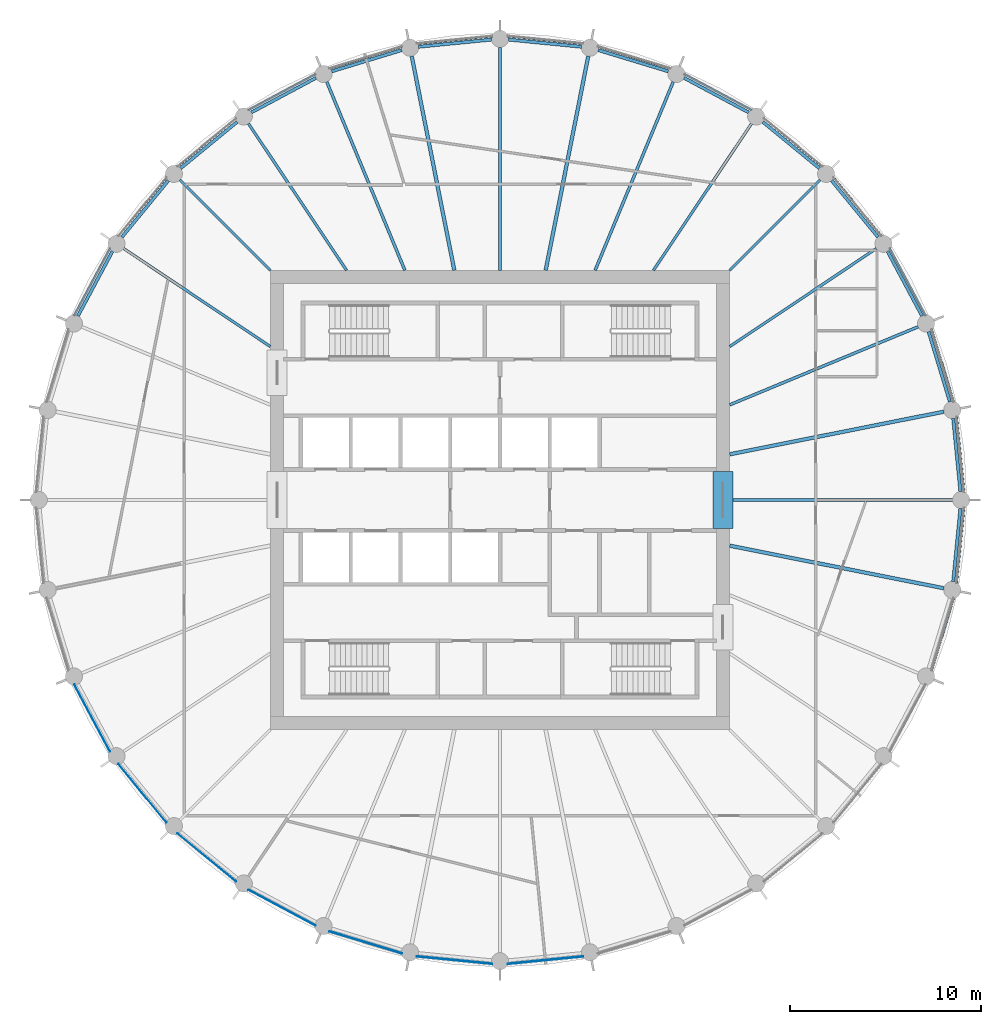
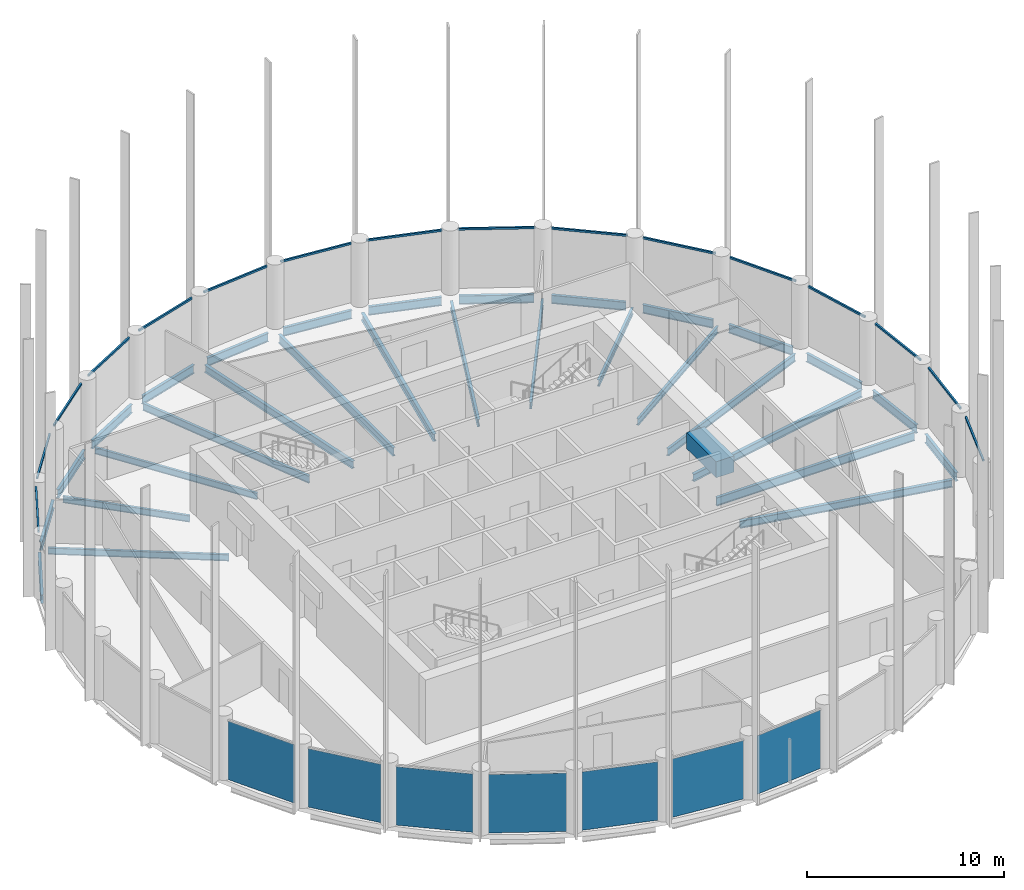
# One storey, part 2 of 7: 31 beams, 16 members, 7 plates, 23 elements without a shape of their own.
"""IFC4 building model written with IfcOpenShell, lengths in metres."""

from ifc_helpers import new_model, si_unit, direction, frame, origin, origin_2d, place, context, subcontext, project, spatial, rectangle, i_section, extrude, material, layer, layer_set, material_profile, profile_set, type_object, element, aggregate, save


model = new_model("IFC4")

# Units and contexts
model_context = context("Model", 3, precision=1e-05, world=origin(), true_north=direction((0.0, 1.0)))
body_context = subcontext(model_context, "Body", "Model", "MODEL_VIEW")
ifc_project = project(units=[si_unit("LENGTHUNIT", "METRE"), si_unit("AREAUNIT", "SQUARE_METRE"), si_unit("VOLUMEUNIT", "CUBIC_METRE"), si_unit("PLANEANGLEUNIT", "RADIAN"), si_unit("MASSUNIT", "GRAM", prefix="KILO")], contexts=[model_context])

# Site, building, storey
site_placement = place(None, origin())
site = spatial("IfcSite", under=ifc_project, at=site_placement, CompositionType="ELEMENT")
building_placement = place(site_placement, origin())
building = spatial("IfcBuilding", under=site, at=building_placement, Name="Corvane Civic Tower", CompositionType="ELEMENT")
storey_placement = place(building_placement, frame((0.0, 0.0, 295.0)))
storey = spatial("IfcBuildingStorey", under=building, at=storey_placement, Name="L70", CompositionType="ELEMENT", Elevation=295.0)

# Beams
ifc_material_1 = material(Name="Concrete C40/50", Category="concrete")
ifc_material_profile_1 = material_profile(ifc_material_1, rectangle(XDim=1.050048828125, YDim=1.0, at=origin_2d()), Name="COUPLING BEAM 1050X1000")
ifc_profile_set_1 = profile_set([ifc_material_profile_1], Name="Concrete C40/50")
beam_type_1 = type_object("IfcBeamType", Name="COUPLING BEAM COUPLING BEAM 1050X1000", PredefinedType="BEAM", material=ifc_profile_set_1)
beam_1_placement = place(storey_placement, frame((11.64990234375, -1.5, 2.60009765625), z_axis=(0.0, 1.0, 0.0), x_axis=(-1.0, 0.0, 0.0)))
element("IfcBeam", 1, at=beam_1_placement, inside=storey, type_object=beam_type_1, Name="BM-L70-cpl-CW-LE", PredefinedType="BEAM", context=body_context, shape_type="SweptSolid", body=[
    extrude(rectangle(XDim=1.050048828125, YDim=1.0, at=origin_2d()), origin(), (0.0, 0.0, 1.0), 3.0),
])
ifc_material_2 = material(Name="Steel ASTM A992 Gr 50", Category="steel")
ifc_material_profile_2 = material_profile(ifc_material_2, i_section(OverallWidth=0.165771484375, OverallDepth=0.5283203125, WebThickness=0.009765625, FlangeThickness=0.013671875, at=origin_2d()), Name="W21X50")
ifc_profile_set_2 = profile_set([ifc_material_profile_2], Name="Steel ASTM A992 Gr 50")
beam_type_2 = type_object("IfcBeamType", Name="EDGE BEAM W21X50", PredefinedType="BEAM", material=ifc_profile_set_2)
for number, where, z_axis, x_axis, name in (
    (2, (0.44775390625, 24.055908203125, -0.564208984375), (0.995187721162, -0.097986732007, 0.0), (0.097986732007, 0.995187721162, 0.0), "BM-L70-E01"),
    (3, (5.13232421875, 23.50634765625, -0.564208984375), (0.95692555902, -0.290333385085, 0.0), (0.290333385085, 0.95692555902, 0.0), "BM-L70-E02"),
):
    element("IfcBeam", number, at=place(storey_placement, frame(where, z_axis=z_axis, x_axis=x_axis)), inside=storey, type_object=beam_type_2, Name=name, PredefinedType="BEAM", context=body_context, shape_type="SweptSolid", body=[
        extrude(i_section(OverallWidth=0.165771484375, OverallDepth=0.5283203125, WebThickness=0.009765625, FlangeThickness=0.013671875, at=origin_2d()), origin(), (0.0, 0.0, 1.0), 3.824462890625),
    ])
beam_2_placement = place(storey_placement, frame((9.61962890625, 22.05322265625, -0.564208984375), z_axis=(0.881914279413, -0.471409804487, 0.0), x_axis=(0.471409804487, 0.881914279413, 0.0)))
element("IfcBeam", 4, at=beam_2_placement, inside=storey, type_object=beam_type_2, Name="BM-L70-E03", PredefinedType="BEAM", context=body_context, shape_type="SweptSolid", body=[
    extrude(i_section(OverallWidth=0.165771484375, OverallDepth=0.5283203125, WebThickness=0.009765625, FlangeThickness=0.013671875, at=origin_2d()), origin(), (0.0, 0.0, 1.0), 3.82421875),
])
for number, where, z_axis, x_axis, name in (
    (5, (13.737060546875, 19.7529296875, -0.564208984375), (0.772997914867, -0.634408562057, 0.0), (0.634408562057, 0.772997914867, 0.0), "BM-L70-E04"),
    (6, (17.32666015625, 16.693359375, -0.564208984375), (0.634408562057, -0.772997914867, 0.0), (0.772997914867, 0.634408562057, 0.0), "BM-L70-E05"),
):
    element("IfcBeam", number, at=place(storey_placement, frame(where, z_axis=z_axis, x_axis=x_axis)), inside=storey, type_object=beam_type_2, Name=name, PredefinedType="BEAM", context=body_context, shape_type="SweptSolid", body=[
        extrude(i_section(OverallWidth=0.165771484375, OverallDepth=0.5283203125, WebThickness=0.009765625, FlangeThickness=0.013671875, at=origin_2d()), origin(), (0.0, 0.0, 1.0), 3.824462890625),
    ])
beam_3_placement = place(storey_placement, frame((20.25048828125, 12.9921875, -0.564208984375), z_axis=(0.471409804487, -0.881914279413, 0.0), x_axis=(0.881914279413, 0.471409804487, 0.0)))
element("IfcBeam", 7, at=beam_3_placement, inside=storey, type_object=beam_type_2, Name="BM-L70-E06", PredefinedType="BEAM", context=body_context, shape_type="SweptSolid", body=[
    extrude(i_section(OverallWidth=0.165771484375, OverallDepth=0.5283203125, WebThickness=0.009765625, FlangeThickness=0.013671875, at=origin_2d()), origin(), (0.0, 0.0, 1.0), 3.82421875),
])
for number, where, z_axis, x_axis, name in (
    (8, (22.39599609375, 8.7919921875, -0.564208984375), (0.290333385085, -0.95692555902, 0.0), (0.95692555902, 0.290333385085, 0.0), "BM-L70-E07"),
    (9, (23.68115234375, 4.25390625, -0.564208984375), (0.097986732007, -0.995187721162, 0.0), (0.995187721162, 0.097986732007, 0.0), "BM-L70-E08"),
    (10, (24.055908203125, -0.44775390625, -0.564208984375), (-0.097986732007, -0.995187721162, 0.0), (0.995187721162, -0.097986732007, 0.0), "BM-L70-E09"),
):
    element("IfcBeam", number, at=place(storey_placement, frame(where, z_axis=z_axis, x_axis=x_axis)), inside=storey, type_object=beam_type_2, Name=name, PredefinedType="BEAM", context=body_context, shape_type="SweptSolid", body=[
        extrude(i_section(OverallWidth=0.165771484375, OverallDepth=0.5283203125, WebThickness=0.009765625, FlangeThickness=0.013671875, at=origin_2d()), origin(), (0.0, 0.0, 1.0), 3.824462890625),
    ])
beam_4_placement = place(storey_placement, frame((-22.05322265625, 9.61962890625, -0.564208984375), z_axis=(0.471409804487, 0.881914279413, 0.0), x_axis=(-0.881914279413, 0.471409804487, 0.0)))
element("IfcBeam", 11, at=beam_4_placement, inside=storey, type_object=beam_type_2, Name="BM-L70-E27", PredefinedType="BEAM", context=body_context, shape_type="SweptSolid", body=[
    extrude(i_section(OverallWidth=0.165771484375, OverallDepth=0.5283203125, WebThickness=0.009765625, FlangeThickness=0.013671875, at=origin_2d()), origin(), (0.0, 0.0, 1.0), 3.82421875),
])
for number, where, z_axis, x_axis, name in (
    (12, (-19.7529296875, 13.737060546875, -0.564208984375), (0.634408562057, 0.772997914867, 0.0), (-0.772997914867, 0.634408562057, 0.0), "BM-L70-E28"),
    (13, (-16.693359375, 17.32666015625, -0.564208984375), (0.772997914867, 0.634408562057, 0.0), (-0.634408562057, 0.772997914867, 0.0), "BM-L70-E29"),
):
    element("IfcBeam", number, at=place(storey_placement, frame(where, z_axis=z_axis, x_axis=x_axis)), inside=storey, type_object=beam_type_2, Name=name, PredefinedType="BEAM", context=body_context, shape_type="SweptSolid", body=[
        extrude(i_section(OverallWidth=0.165771484375, OverallDepth=0.5283203125, WebThickness=0.009765625, FlangeThickness=0.013671875, at=origin_2d()), origin(), (0.0, 0.0, 1.0), 3.824462890625),
    ])
beam_5_placement = place(storey_placement, frame((-12.9921875, 20.25048828125, -0.564208984375), z_axis=(0.881914279413, 0.471409804487, 0.0), x_axis=(-0.471409804487, 0.881914279413, 0.0)))
element("IfcBeam", 14, at=beam_5_placement, inside=storey, type_object=beam_type_2, Name="BM-L70-E30", PredefinedType="BEAM", context=body_context, shape_type="SweptSolid", body=[
    extrude(i_section(OverallWidth=0.165771484375, OverallDepth=0.5283203125, WebThickness=0.009765625, FlangeThickness=0.013671875, at=origin_2d()), origin(), (0.0, 0.0, 1.0), 3.82421875),
])
for number, where, z_axis, x_axis, name in (
    (15, (-8.7919921875, 22.39599609375, -0.564208984375), (0.95692555902, 0.290333385085, 0.0), (-0.290333385085, 0.95692555902, 0.0), "BM-L70-E31"),
    (16, (-4.25390625, 23.68115234375, -0.564208984375), (0.995187721162, 0.097986732007, 0.0), (-0.097986732007, 0.995187721162, 0.0), "BM-L70-E32"),
):
    element("IfcBeam", number, at=place(storey_placement, frame(where, z_axis=z_axis, x_axis=x_axis)), inside=storey, type_object=beam_type_2, Name=name, PredefinedType="BEAM", context=body_context, shape_type="SweptSolid", body=[
        extrude(i_section(OverallWidth=0.165771484375, OverallDepth=0.5283203125, WebThickness=0.009765625, FlangeThickness=0.013671875, at=origin_2d()), origin(), (0.0, 0.0, 1.0), 3.824462890625),
    ])
ifc_material_3 = material(Name="Steel ASTM A992 Gr 50", Category="steel")
ifc_material_profile_3 = material_profile(ifc_material_3, i_section(OverallWidth=0.140380859375, OverallDepth=0.40380859375, WebThickness=0.007080078125, FlangeThickness=0.01123046875, at=origin_2d()), Name="W16X31")
ifc_profile_set_3 = profile_set([ifc_material_profile_3], Name="Steel ASTM A992 Gr 50")
beam_type_3 = type_object("IfcBeamType", Name="FLOOR GIRDER W16X31", PredefinedType="BEAM", material=ifc_profile_set_3)
beam_6_placement = place(storey_placement, frame((8.01806640625, 12.0, -0.501953125), z_axis=(0.555567816355, 0.831471227061, 0.0), x_axis=(-0.831471227061, 0.555567816355, 0.0)))
element("IfcBeam", 17, at=beam_6_placement, inside=storey, type_object=beam_type_3, Name="BM-L70-G04", PredefinedType="BEAM", context=body_context, shape_type="SweptSolid", body=[
    extrude(i_section(OverallWidth=0.140380859375, OverallDepth=0.40380859375, WebThickness=0.007080078125, FlangeThickness=0.01123046875, at=origin_2d()), origin(), (0.0, 0.0, 1.0), 9.2177734375),
])
beam_7_placement = place(storey_placement, frame((12.0, 12.0, -0.501953125), z_axis=(0.707106781187, 0.707106781187, 0.0), x_axis=(-0.707106781187, 0.707106781187, 0.0)))
element("IfcBeam", 18, at=beam_7_placement, inside=storey, type_object=beam_type_3, Name="BM-L70-G05", PredefinedType="BEAM", context=body_context, shape_type="SweptSolid", body=[
    extrude(i_section(OverallWidth=0.140380859375, OverallDepth=0.40380859375, WebThickness=0.007080078125, FlangeThickness=0.01123046875, at=origin_2d()), origin(), (0.0, 0.0, 1.0), 6.679443359375),
])
for number, where, z_axis, x_axis, name in (
    (19, (12.0, 8.01806640625, -0.501953125), (0.831471227061, 0.555567816355, 0.0), (-0.555567816355, 0.831471227061, 0.0), "BM-L70-G06"),
    (20, (-12.0, 8.01806640625, -0.501953125), (-0.831471227061, 0.555567816355, 0.0), (-0.555567816355, -0.831471227061, 0.0), "BM-L70-G28"),
):
    element("IfcBeam", number, at=place(storey_placement, frame(where, z_axis=z_axis, x_axis=x_axis)), inside=storey, type_object=beam_type_3, Name=name, PredefinedType="BEAM", context=body_context, shape_type="SweptSolid", body=[
        extrude(i_section(OverallWidth=0.140380859375, OverallDepth=0.40380859375, WebThickness=0.007080078125, FlangeThickness=0.01123046875, at=origin_2d()), origin(), (0.0, 0.0, 1.0), 9.2177734375),
    ])
beam_8_placement = place(storey_placement, frame((-12.0, 12.0, -0.501953125), z_axis=(-0.707106781187, 0.707106781187, 0.0), x_axis=(-0.707106781187, -0.707106781187, 0.0)))
element("IfcBeam", 21, at=beam_8_placement, inside=storey, type_object=beam_type_3, Name="BM-L70-G29", PredefinedType="BEAM", context=body_context, shape_type="SweptSolid", body=[
    extrude(i_section(OverallWidth=0.140380859375, OverallDepth=0.40380859375, WebThickness=0.007080078125, FlangeThickness=0.01123046875, at=origin_2d()), origin(), (0.0, 0.0, 1.0), 6.679443359375),
])
beam_9_placement = place(storey_placement, frame((-8.01806640625, 12.0, -0.501953125), z_axis=(-0.555567816355, 0.831471227061, 0.0), x_axis=(-0.831471227061, -0.555567816355, 0.0)))
element("IfcBeam", 22, at=beam_9_placement, inside=storey, type_object=beam_type_3, Name="BM-L70-G30", PredefinedType="BEAM", context=body_context, shape_type="SweptSolid", body=[
    extrude(i_section(OverallWidth=0.140380859375, OverallDepth=0.40380859375, WebThickness=0.007080078125, FlangeThickness=0.01123046875, at=origin_2d()), origin(), (0.0, 0.0, 1.0), 9.2177734375),
])
ifc_material_4 = material(Name="Steel ASTM A992 Gr 50", Category="steel")
ifc_material_profile_4 = material_profile(ifc_material_4, i_section(OverallWidth=0.15283203125, OverallDepth=0.45458984375, WebThickness=0.008056640625, FlangeThickness=0.013427734375, at=origin_2d()), Name="W18X40")
ifc_profile_set_4 = profile_set([ifc_material_profile_4], Name="Steel ASTM A992 Gr 50")
beam_type_4 = type_object("IfcBeamType", Name="FLOOR GIRDER W18X40", PredefinedType="BEAM", material=ifc_profile_set_4)
for number, where, z_axis, x_axis, name in (
    (23, (4.970458984375, 12.0, -0.52734375), (0.382694257331, 0.923875048589, 0.0), (-0.923875048589, 0.382694257331, 0.0), "BM-L70-G03"),
    (24, (12.0, 4.970458984375, -0.52734375), (0.923875048589, 0.382694257331, 0.0), (-0.382694257331, 0.923875048589, 0.0), "BM-L70-G07"),
    (25, (-4.970458984375, 12.0, -0.52734375), (-0.382694257331, 0.923875048589, 0.0), (-0.923875048589, -0.382694257331, 0.0), "BM-L70-G31"),
):
    element("IfcBeam", number, at=place(storey_placement, frame(where, z_axis=z_axis, x_axis=x_axis)), inside=storey, type_object=beam_type_4, Name=name, PredefinedType="BEAM", context=body_context, shape_type="SweptSolid", body=[
        extrude(i_section(OverallWidth=0.15283203125, OverallDepth=0.45458984375, WebThickness=0.008056640625, FlangeThickness=0.013427734375, at=origin_2d()), origin(), (0.0, 0.0, 1.0), 10.661376953125),
    ])
ifc_material_5 = material(Name="Steel ASTM A992 Gr 50", Category="steel")
ifc_material_profile_5 = material_profile(ifc_material_5, i_section(OverallWidth=0.1904296875, OverallDepth=0.457275390625, WebThickness=0.009033203125, FlangeThickness=0.014404296875, at=origin_2d()), Name="W18X50")
ifc_profile_set_5 = profile_set([ifc_material_profile_5], Name="Steel ASTM A992 Gr 50")
beam_type_5 = type_object("IfcBeamType", Name="FLOOR GIRDER W18X50", PredefinedType="BEAM", material=ifc_profile_set_5)
for number, where, z_axis, x_axis, name in (
    (26, (2.386962890625, 12.0, -0.528564453125), (0.195079532402, 0.980787426529, 0.0), (-0.980787426529, 0.195079532402, 0.0), "BM-L70-G02"),
    (27, (12.0, 2.386962890625, -0.528564453125), (0.980787426529, 0.195079532402, 0.0), (-0.195079532402, 0.980787426529, 0.0), "BM-L70-G08"),
    (28, (12.0, -2.386962890625, -0.528564453125), (0.980787426529, -0.195079532402, 0.0), (0.195079532402, 0.980787426529, 0.0), "BM-L70-G10"),
    (29, (-2.386962890625, 12.0, -0.528564453125), (-0.195079532402, 0.980787426529, 0.0), (-0.980787426529, -0.195079532402, 0.0), "BM-L70-G32"),
):
    element("IfcBeam", number, at=place(storey_placement, frame(where, z_axis=z_axis, x_axis=x_axis)), inside=storey, type_object=beam_type_5, Name=name, PredefinedType="BEAM", context=body_context, shape_type="SweptSolid", body=[
        extrude(i_section(OverallWidth=0.1904296875, OverallDepth=0.457275390625, WebThickness=0.009033203125, FlangeThickness=0.014404296875, at=origin_2d()), origin(), (0.0, 0.0, 1.0), 11.414794921875),
    ])
ifc_material_6 = material(Name="Steel ASTM A992 Gr 50", Category="steel")
ifc_material_profile_6 = material_profile(ifc_material_6, i_section(OverallWidth=0.165771484375, OverallDepth=0.5283203125, WebThickness=0.009765625, FlangeThickness=0.013671875, at=origin_2d()), Name="W21X50")
ifc_profile_set_6 = profile_set([ifc_material_profile_6], Name="Steel ASTM A992 Gr 50")
beam_type_6 = type_object("IfcBeamType", Name="FLOOR GIRDER W21X50", PredefinedType="BEAM", material=ifc_profile_set_6)
for number, where, z_axis, x_axis, name in (
    (30, (0.0, 12.0, -0.564208984375), (0.0, 1.0, 0.0), (-1.0, 0.0, 0.0), "BM-L70-G01"),
    (31, (12.0, 0.0, -0.564208984375), (1.0, 0.0, 0.0), (0.0, 1.0, 0.0), "BM-L70-G09"),
):
    element("IfcBeam", number, at=place(storey_placement, frame(where, z_axis=z_axis, x_axis=x_axis)), inside=storey, type_object=beam_type_6, Name=name, PredefinedType="BEAM", context=body_context, shape_type="SweptSolid", body=[
        extrude(i_section(OverallWidth=0.165771484375, OverallDepth=0.5283203125, WebThickness=0.009765625, FlangeThickness=0.013671875, at=origin_2d()), origin(), (0.0, 0.0, 1.0), 11.64990234375),
    ])

# Curtain wall, member
ifc_material_7 = material(Name="Anodised aluminium bronze", Category="aluminium")
curtain_wall_type = type_object("IfcCurtainWallType", Name="TOWER CW-T3 STICK CURTAIN WALL", PredefinedType="NOTDEFINED", material=ifc_material_7)
curtain_wall_1_placement = place(storey_placement, origin())
curtain_wall_1 = element("IfcCurtainWall", 32, at=curtain_wall_1_placement, inside=storey, type_object=curtain_wall_type, Name="Curtain wall CW-T3 L70 bay 01", PredefinedType="NOTDEFINED")
ifc_material_8 = material(Name="Anodised aluminium bronze", Category="aluminium")
ifc_material_profile_7 = material_profile(ifc_material_8, rectangle(XDim=0.10009765625, YDim=0.1201171875, at=origin_2d()), Name="TOWER CW-T3 TRANSOM 100x120")
ifc_profile_set_7 = profile_set([ifc_material_profile_7], Name="Anodised aluminium bronze")
member_type = type_object("IfcMemberType", Name="TOWER CW-T3 TRANSOM 100x120", PredefinedType="USERDEFINED", material=ifc_profile_set_7)
member_1_placement = place(storey_placement, frame((0.3984375, 24.24072265625, 3.68994140625), z_axis=(0.995186866683, -0.097995409999, 0.0), x_axis=(0.097995409999, 0.995186866683, 0.0)))
member_1 = element("IfcMember", 33, at=member_1_placement, type_object=member_type, Name="Transom CW-T3 L70 01.1", ObjectType="TRANSOM", PredefinedType="USERDEFINED", context=body_context, shape_type="SweptSolid", body=[
    extrude(rectangle(XDim=0.10009765625, YDim=0.1201171875, at=origin_2d()), origin(), (0.0, 0.0, 1.0), 3.958740234375),
])
aggregate(curtain_wall_1, [member_1])

curtain_wall_2_placement = place(storey_placement, origin())
curtain_wall_2 = element("IfcCurtainWall", 34, at=curtain_wall_2_placement, inside=storey, type_object=curtain_wall_type, Name="Curtain wall CW-T3 L70 bay 02", PredefinedType="NOTDEFINED")
member_2_placement = place(storey_placement, frame((5.119873046875, 23.697265625, 3.68994140625), z_axis=(0.956946054205, -0.290265825309, 0.0), x_axis=(0.290265825309, 0.956946054205, 0.0)))
member_2 = element("IfcMember", 35, at=member_2_placement, type_object=member_type, Name="Transom CW-T3 L70 02.1", ObjectType="TRANSOM", PredefinedType="USERDEFINED", context=body_context, shape_type="SweptSolid", body=[
    extrude(rectangle(XDim=0.10009765625, YDim=0.1201171875, at=origin_2d()), origin(), (0.0, 0.0, 1.0), 3.958984375),
])
aggregate(curtain_wall_2, [member_2])

curtain_wall_3_placement = place(storey_placement, origin())
curtain_wall_3 = element("IfcCurtainWall", 36, at=curtain_wall_3_placement, inside=storey, type_object=curtain_wall_type, Name="Curtain wall CW-T3 L70 bay 03", PredefinedType="NOTDEFINED")
member_3_placement = place(storey_placement, frame((9.644775390625, 22.2431640625, 3.68994140625), z_axis=(0.881883040816, -0.471468241052, 0.0), x_axis=(0.471468241052, 0.881883040816, 0.0)))
member_3 = element("IfcMember", 37, at=member_3_placement, type_object=member_type, Name="Transom CW-T3 L70 03.1", ObjectType="TRANSOM", PredefinedType="USERDEFINED", context=body_context, shape_type="SweptSolid", body=[
    extrude(rectangle(XDim=0.10009765625, YDim=0.1201171875, at=origin_2d()), origin(), (0.0, 0.0, 1.0), 3.958740234375),
])
aggregate(curtain_wall_3, [member_3])

curtain_wall_4_placement = place(storey_placement, origin())
curtain_wall_4 = element("IfcCurtainWall", 38, at=curtain_wall_4_placement, inside=storey, type_object=curtain_wall_type, Name="Curtain wall CW-T3 L70 bay 04", PredefinedType="NOTDEFINED")
member_4_placement = place(storey_placement, frame((13.798828125, 19.93408203125, 3.68994140625), z_axis=(0.772991943051, -0.634415838373, 0.0), x_axis=(0.634415838373, 0.772991943051, 0.0)))
member_4 = element("IfcMember", 39, at=member_4_placement, type_object=member_type, Name="Transom CW-T3 L70 04.1", ObjectType="TRANSOM", PredefinedType="USERDEFINED", context=body_context, shape_type="SweptSolid", body=[
    extrude(rectangle(XDim=0.10009765625, YDim=0.1201171875, at=origin_2d()), origin(), (0.0, 0.0, 1.0), 3.958740234375),
])
aggregate(curtain_wall_4, [member_4])

curtain_wall_5_placement = place(storey_placement, origin())
curtain_wall_5 = element("IfcCurtainWall", 40, at=curtain_wall_5_placement, inside=storey, type_object=curtain_wall_type, Name="Curtain wall CW-T3 L70 bay 05", PredefinedType="NOTDEFINED")
member_5_placement = place(storey_placement, frame((17.422607421875, 16.85888671875, 3.68994140625), z_axis=(0.634415838373, -0.772991943051, 0.0), x_axis=(0.772991943051, 0.634415838373, 0.0)))
member_5 = element("IfcMember", 41, at=member_5_placement, type_object=member_type, Name="Transom CW-T3 L70 05.1", ObjectType="TRANSOM", PredefinedType="USERDEFINED", context=body_context, shape_type="SweptSolid", body=[
    extrude(rectangle(XDim=0.10009765625, YDim=0.1201171875, at=origin_2d()), origin(), (0.0, 0.0, 1.0), 3.958740234375),
])
aggregate(curtain_wall_5, [member_5])

curtain_wall_6_placement = place(storey_placement, origin())
curtain_wall_6 = element("IfcCurtainWall", 42, at=curtain_wall_6_placement, inside=storey, type_object=curtain_wall_type, Name="Curtain wall CW-T3 L70 bay 06", PredefinedType="NOTDEFINED")
member_6_placement = place(storey_placement, frame((20.376708984375, 13.135986328125, 3.68994140625), z_axis=(0.471468241052, -0.881883040816, 0.0), x_axis=(0.881883040816, 0.471468241052, 0.0)))
member_6 = element("IfcMember", 43, at=member_6_placement, type_object=member_type, Name="Transom CW-T3 L70 06.1", ObjectType="TRANSOM", PredefinedType="USERDEFINED", context=body_context, shape_type="SweptSolid", body=[
    extrude(rectangle(XDim=0.10009765625, YDim=0.1201171875, at=origin_2d()), origin(), (0.0, 0.0, 1.0), 3.958740234375),
])
aggregate(curtain_wall_6, [member_6])

curtain_wall_7_placement = place(storey_placement, origin())
curtain_wall_7 = element("IfcCurtainWall", 44, at=curtain_wall_7_placement, inside=storey, type_object=curtain_wall_type, Name="Curtain wall CW-T3 L70 bay 07", PredefinedType="NOTDEFINED")
member_7_placement = place(storey_placement, frame((22.548095703125, 8.908447265625, 3.68994140625), z_axis=(0.290265825309, -0.956946054205, 0.0), x_axis=(0.956946054205, 0.290265825309, 0.0)))
member_7 = element("IfcMember", 45, at=member_7_placement, type_object=member_type, Name="Transom CW-T3 L70 07.1", ObjectType="TRANSOM", PredefinedType="USERDEFINED", context=body_context, shape_type="SweptSolid", body=[
    extrude(rectangle(XDim=0.10009765625, YDim=0.1201171875, at=origin_2d()), origin(), (0.0, 0.0, 1.0), 3.958984375),
])
aggregate(curtain_wall_7, [member_7])

curtain_wall_8_placement = place(storey_placement, origin())
curtain_wall_8 = element("IfcCurtainWall", 46, at=curtain_wall_8_placement, inside=storey, type_object=curtain_wall_type, Name="Curtain wall CW-T3 L70 bay 08", PredefinedType="NOTDEFINED")
member_8_placement = place(storey_placement, frame((23.852783203125, 4.338134765625, 3.68994140625), z_axis=(0.097995409999, -0.995186866683, 0.0), x_axis=(0.995186866683, 0.097995409999, 0.0)))
member_8 = element("IfcMember", 47, at=member_8_placement, type_object=member_type, Name="Transom CW-T3 L70 08.1", ObjectType="TRANSOM", PredefinedType="USERDEFINED", context=body_context, shape_type="SweptSolid", body=[
    extrude(rectangle(XDim=0.10009765625, YDim=0.1201171875, at=origin_2d()), origin(), (0.0, 0.0, 1.0), 3.958740234375),
])
aggregate(curtain_wall_8, [member_8])

curtain_wall_9_placement = place(storey_placement, origin())
curtain_wall_9 = element("IfcCurtainWall", 48, at=curtain_wall_9_placement, inside=storey, type_object=curtain_wall_type, Name="Curtain wall CW-T3 L70 bay 09", PredefinedType="NOTDEFINED")
member_9_placement = place(storey_placement, frame((24.24072265625, -0.3984375, 3.68994140625), z_axis=(-0.097995409999, -0.995186866683, 0.0), x_axis=(0.995186866683, -0.097995409999, 0.0)))
member_9 = element("IfcMember", 49, at=member_9_placement, type_object=member_type, Name="Transom CW-T3 L70 09.1", ObjectType="TRANSOM", PredefinedType="USERDEFINED", context=body_context, shape_type="SweptSolid", body=[
    extrude(rectangle(XDim=0.10009765625, YDim=0.1201171875, at=origin_2d()), origin(), (0.0, 0.0, 1.0), 3.958740234375),
])
aggregate(curtain_wall_9, [member_9])

curtain_wall_10_placement = place(storey_placement, origin())
curtain_wall_10 = element("IfcCurtainWall", 50, at=curtain_wall_10_placement, inside=storey, type_object=curtain_wall_type, Name="Curtain wall CW-T3 L70 bay 10", PredefinedType="NOTDEFINED")
member_10_placement = place(storey_placement, frame((23.697265625, -5.119873046875, 3.68994140625), z_axis=(-0.290265825309, -0.956946054205, 0.0), x_axis=(0.956946054205, -0.290265825309, 0.0)))
member_10 = element("IfcMember", 51, at=member_10_placement, type_object=member_type, Name="Transom CW-T3 L70 10.1", ObjectType="TRANSOM", PredefinedType="USERDEFINED", context=body_context, shape_type="SweptSolid", body=[
    extrude(rectangle(XDim=0.10009765625, YDim=0.1201171875, at=origin_2d()), origin(), (0.0, 0.0, 1.0), 3.958984375),
])
aggregate(curtain_wall_10, [member_10])

curtain_wall_11_placement = place(storey_placement, origin())
curtain_wall_11 = element("IfcCurtainWall", 52, at=curtain_wall_11_placement, inside=storey, type_object=curtain_wall_type, Name="Curtain wall CW-T3 L70 bay 27", PredefinedType="NOTDEFINED")
member_11_placement = place(storey_placement, frame((-22.2431640625, 9.644775390625, 3.68994140625), z_axis=(0.471468241052, 0.881883040816, 0.0), x_axis=(-0.881883040816, 0.471468241052, 0.0)))
member_11 = element("IfcMember", 53, at=member_11_placement, type_object=member_type, Name="Transom CW-T3 L70 27.1", ObjectType="TRANSOM", PredefinedType="USERDEFINED", context=body_context, shape_type="SweptSolid", body=[
    extrude(rectangle(XDim=0.10009765625, YDim=0.1201171875, at=origin_2d()), origin(), (0.0, 0.0, 1.0), 3.958740234375),
])
aggregate(curtain_wall_11, [member_11])

curtain_wall_12_placement = place(storey_placement, origin())
curtain_wall_12 = element("IfcCurtainWall", 54, at=curtain_wall_12_placement, inside=storey, type_object=curtain_wall_type, Name="Curtain wall CW-T3 L70 bay 28", PredefinedType="NOTDEFINED")
member_12_placement = place(storey_placement, frame((-19.93408203125, 13.798828125, 3.68994140625), z_axis=(0.634415838373, 0.772991943051, 0.0), x_axis=(-0.772991943051, 0.634415838373, 0.0)))
member_12 = element("IfcMember", 55, at=member_12_placement, type_object=member_type, Name="Transom CW-T3 L70 28.1", ObjectType="TRANSOM", PredefinedType="USERDEFINED", context=body_context, shape_type="SweptSolid", body=[
    extrude(rectangle(XDim=0.10009765625, YDim=0.1201171875, at=origin_2d()), origin(), (0.0, 0.0, 1.0), 3.958740234375),
])
aggregate(curtain_wall_12, [member_12])

curtain_wall_13_placement = place(storey_placement, origin())
curtain_wall_13 = element("IfcCurtainWall", 56, at=curtain_wall_13_placement, inside=storey, type_object=curtain_wall_type, Name="Curtain wall CW-T3 L70 bay 29", PredefinedType="NOTDEFINED")
member_13_placement = place(storey_placement, frame((-16.85888671875, 17.422607421875, 3.68994140625), z_axis=(0.772991943051, 0.634415838373, 0.0), x_axis=(-0.634415838373, 0.772991943051, 0.0)))
member_13 = element("IfcMember", 57, at=member_13_placement, type_object=member_type, Name="Transom CW-T3 L70 29.1", ObjectType="TRANSOM", PredefinedType="USERDEFINED", context=body_context, shape_type="SweptSolid", body=[
    extrude(rectangle(XDim=0.10009765625, YDim=0.1201171875, at=origin_2d()), origin(), (0.0, 0.0, 1.0), 3.958740234375),
])
aggregate(curtain_wall_13, [member_13])

curtain_wall_14_placement = place(storey_placement, origin())
curtain_wall_14 = element("IfcCurtainWall", 58, at=curtain_wall_14_placement, inside=storey, type_object=curtain_wall_type, Name="Curtain wall CW-T3 L70 bay 30", PredefinedType="NOTDEFINED")
member_14_placement = place(storey_placement, frame((-13.135986328125, 20.376708984375, 3.68994140625), z_axis=(0.881883040816, 0.471468241052, 0.0), x_axis=(-0.471468241052, 0.881883040816, 0.0)))
member_14 = element("IfcMember", 59, at=member_14_placement, type_object=member_type, Name="Transom CW-T3 L70 30.1", ObjectType="TRANSOM", PredefinedType="USERDEFINED", context=body_context, shape_type="SweptSolid", body=[
    extrude(rectangle(XDim=0.10009765625, YDim=0.1201171875, at=origin_2d()), origin(), (0.0, 0.0, 1.0), 3.958740234375),
])
aggregate(curtain_wall_14, [member_14])

curtain_wall_15_placement = place(storey_placement, origin())
curtain_wall_15 = element("IfcCurtainWall", 60, at=curtain_wall_15_placement, inside=storey, type_object=curtain_wall_type, Name="Curtain wall CW-T3 L70 bay 31", PredefinedType="NOTDEFINED")
member_15_placement = place(storey_placement, frame((-8.908447265625, 22.548095703125, 3.68994140625), z_axis=(0.956946054205, 0.290265825309, 0.0), x_axis=(-0.290265825309, 0.956946054205, 0.0)))
member_15 = element("IfcMember", 61, at=member_15_placement, type_object=member_type, Name="Transom CW-T3 L70 31.1", ObjectType="TRANSOM", PredefinedType="USERDEFINED", context=body_context, shape_type="SweptSolid", body=[
    extrude(rectangle(XDim=0.10009765625, YDim=0.1201171875, at=origin_2d()), origin(), (0.0, 0.0, 1.0), 3.958984375),
])
aggregate(curtain_wall_15, [member_15])

curtain_wall_16_placement = place(storey_placement, origin())
curtain_wall_16 = element("IfcCurtainWall", 62, at=curtain_wall_16_placement, inside=storey, type_object=curtain_wall_type, Name="Curtain wall CW-T3 L70 bay 32", PredefinedType="NOTDEFINED")
member_16_placement = place(storey_placement, frame((-4.338134765625, 23.852783203125, 3.68994140625), z_axis=(0.995186866683, 0.097995409999, 0.0), x_axis=(-0.097995409999, 0.995186866683, 0.0)))
member_16 = element("IfcMember", 63, at=member_16_placement, type_object=member_type, Name="Transom CW-T3 L70 32.1", ObjectType="TRANSOM", PredefinedType="USERDEFINED", context=body_context, shape_type="SweptSolid", body=[
    extrude(rectangle(XDim=0.10009765625, YDim=0.1201171875, at=origin_2d()), origin(), (0.0, 0.0, 1.0), 3.958740234375),
])
aggregate(curtain_wall_16, [member_16])

# Curtain wall, plate
curtain_wall_17_placement = place(storey_placement, origin())
curtain_wall_17 = element("IfcCurtainWall", 64, at=curtain_wall_17_placement, inside=storey, type_object=curtain_wall_type, Name="Curtain wall CW-T3 L70 bay 16", PredefinedType="NOTDEFINED")
ifc_material_9 = material(Name="Tinted glass", Category="glass")
ifc_layer = layer(ifc_material_9, 0.028076171875)
ifc_layer_set = layer_set([ifc_layer], Name="Tinted glass")
plate_type = type_object("IfcPlateType", Name="TOWER CW-T3 PANEL IGU28", PredefinedType="CURTAIN_PANEL", material=ifc_layer_set)
plate_1_placement = place(storey_placement, frame((2.368408203125, -24.046875, 0.0), z_axis=(0.0, 0.0, 1.0), x_axis=(-0.99518437747, -0.098020685775, 0.0)))
plate_1 = element("IfcPlate", 65, at=plate_1_placement, type_object=plate_type, Name="Glass panel CW-T3 L70 16.1", PredefinedType="CURTAIN_PANEL", context=body_context, shape_type="SweptSolid", body=[
    extrude(rectangle(XDim=3.958740234375, YDim=0.028076171875, at=origin_2d()), origin(), (0.0, 0.0, 1.0), 3.6298828125),
])
aggregate(curtain_wall_17, [plate_1])

curtain_wall_18_placement = place(storey_placement, origin())
curtain_wall_18 = element("IfcCurtainWall", 66, at=curtain_wall_18_placement, inside=storey, type_object=curtain_wall_type, Name="Curtain wall CW-T3 L70 bay 17", PredefinedType="NOTDEFINED")
plate_2_placement = place(storey_placement, frame((-2.368408203125, -24.046875, 0.0), z_axis=(0.0, 0.0, 1.0), x_axis=(-0.99518437747, 0.098020685775, 0.0)))
plate_2 = element("IfcPlate", 67, at=plate_2_placement, type_object=plate_type, Name="Glass panel CW-T3 L70 17.1", PredefinedType="CURTAIN_PANEL", context=body_context, shape_type="SweptSolid", body=[
    extrude(rectangle(XDim=3.958740234375, YDim=0.028076171875, at=origin_2d()), origin(), (0.0, 0.0, 1.0), 3.6298828125),
])
aggregate(curtain_wall_18, [plate_2])

curtain_wall_19_placement = place(storey_placement, origin())
curtain_wall_19 = element("IfcCurtainWall", 68, at=curtain_wall_19_placement, inside=storey, type_object=curtain_wall_type, Name="Curtain wall CW-T3 L70 bay 18", PredefinedType="NOTDEFINED")
plate_3_placement = place(storey_placement, frame((-7.01416015625, -23.12255859375, 0.0), z_axis=(0.0, 0.0, 1.0), x_axis=(-0.956943694519, 0.290273604586, 0.0)))
plate_3 = element("IfcPlate", 69, at=plate_3_placement, type_object=plate_type, Name="Glass panel CW-T3 L70 18.1", PredefinedType="CURTAIN_PANEL", context=body_context, shape_type="SweptSolid", body=[
    extrude(rectangle(XDim=3.958984375, YDim=0.028076171875, at=origin_2d()), origin(), (0.0, 0.0, 1.0), 3.6298828125),
])
aggregate(curtain_wall_19, [plate_3])

curtain_wall_20_placement = place(storey_placement, origin())
curtain_wall_20 = element("IfcCurtainWall", 70, at=curtain_wall_20_placement, inside=storey, type_object=curtain_wall_type, Name="Curtain wall CW-T3 L70 bay 19", PredefinedType="NOTDEFINED")
plate_4_placement = place(storey_placement, frame((-11.390380859375, -21.31005859375, 0.0), z_axis=(0.0, 0.0, 1.0), x_axis=(-0.881908138655, 0.471421292448, 0.0)))
plate_4 = element("IfcPlate", 71, at=plate_4_placement, type_object=plate_type, Name="Glass panel CW-T3 L70 19.1", PredefinedType="CURTAIN_PANEL", context=body_context, shape_type="SweptSolid", body=[
    extrude(rectangle(XDim=3.958740234375, YDim=0.028076171875, at=origin_2d()), origin(), (0.0, 0.0, 1.0), 3.6298828125),
])
aggregate(curtain_wall_20, [plate_4])

curtain_wall_21_placement = place(storey_placement, origin())
curtain_wall_21 = element("IfcCurtainWall", 72, at=curtain_wall_21_placement, inside=storey, type_object=curtain_wall_type, Name="Curtain wall CW-T3 L70 bay 20", PredefinedType="NOTDEFINED")
plate_5_placement = place(storey_placement, frame((-15.328857421875, -18.67822265625, 0.0), z_axis=(0.0, 0.0, 1.0), x_axis=(-0.773001130565, 0.634404643855, 0.0)))
plate_5 = element("IfcPlate", 73, at=plate_5_placement, type_object=plate_type, Name="Glass panel CW-T3 L70 20.1", PredefinedType="CURTAIN_PANEL", context=body_context, shape_type="SweptSolid", body=[
    extrude(rectangle(XDim=3.958740234375, YDim=0.028076171875, at=origin_2d()), origin(), (0.0, 0.0, 1.0), 3.6298828125),
])
aggregate(curtain_wall_21, [plate_5])

curtain_wall_22_placement = place(storey_placement, origin())
curtain_wall_22 = element("IfcCurtainWall", 74, at=curtain_wall_22_placement, inside=storey, type_object=curtain_wall_type, Name="Curtain wall CW-T3 L70 bay 21", PredefinedType="NOTDEFINED")
plate_6_placement = place(storey_placement, frame((-18.67822265625, -15.328857421875, 0.0), z_axis=(0.0, 0.0, 1.0), x_axis=(-0.634404643855, 0.773001130565, 0.0)))
plate_6 = element("IfcPlate", 75, at=plate_6_placement, type_object=plate_type, Name="Glass panel CW-T3 L70 21.1", PredefinedType="CURTAIN_PANEL", context=body_context, shape_type="SweptSolid", body=[
    extrude(rectangle(XDim=3.958740234375, YDim=0.028076171875, at=origin_2d()), origin(), (0.0, 0.0, 1.0), 3.6298828125),
])
aggregate(curtain_wall_22, [plate_6])

curtain_wall_23_placement = place(storey_placement, origin())
curtain_wall_23 = element("IfcCurtainWall", 76, at=curtain_wall_23_placement, inside=storey, type_object=curtain_wall_type, Name="Curtain wall CW-T3 L70 bay 22", PredefinedType="NOTDEFINED")
plate_7_placement = place(storey_placement, frame((-21.31005859375, -11.390380859375, 0.0), z_axis=(0.0, 0.0, 1.0), x_axis=(-0.471421292448, 0.881908138655, 0.0)))
plate_7 = element("IfcPlate", 77, at=plate_7_placement, type_object=plate_type, Name="Glass panel CW-T3 L70 22.1", PredefinedType="CURTAIN_PANEL", context=body_context, shape_type="SweptSolid", body=[
    extrude(rectangle(XDim=3.958740234375, YDim=0.028076171875, at=origin_2d()), origin(), (0.0, 0.0, 1.0), 3.6298828125),
])
aggregate(curtain_wall_23, [plate_7])

save(model, "model.ifc")
